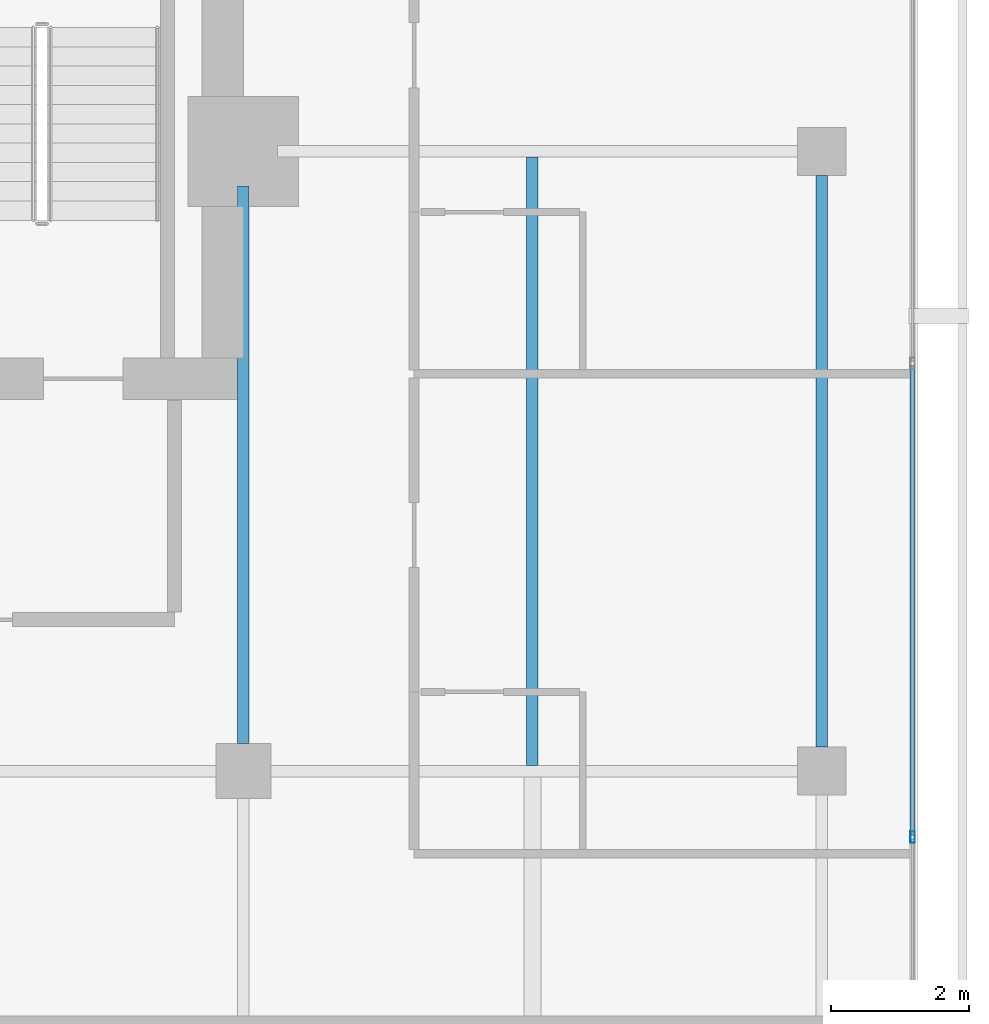
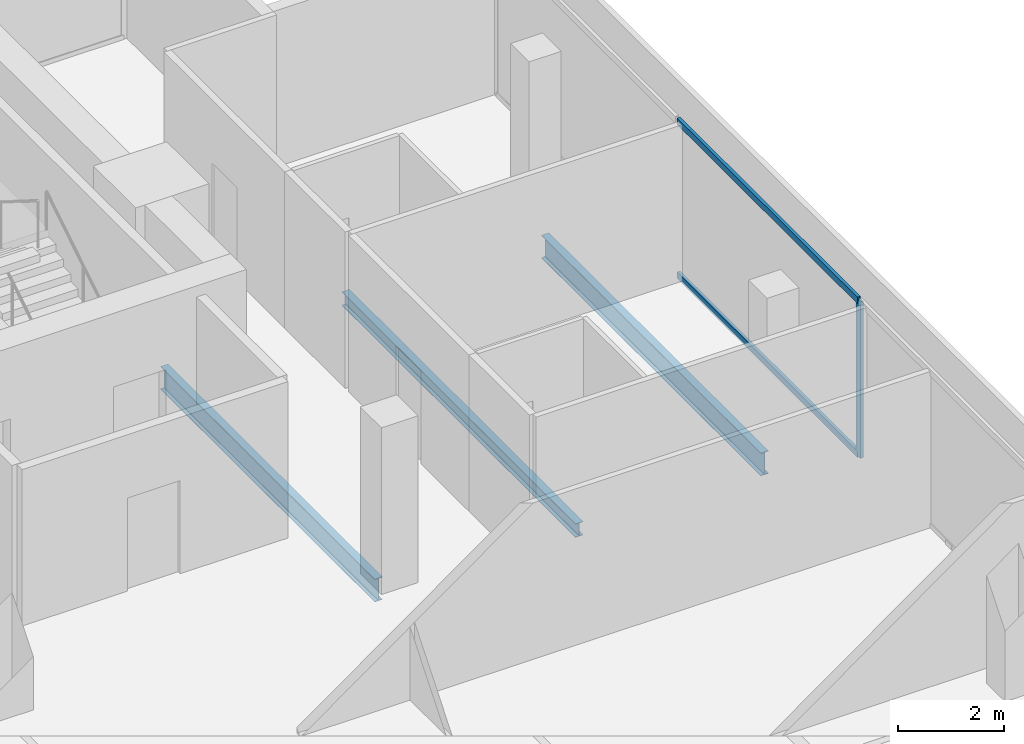
# One storey, part 15 of 25: 3 beams, 3 members, 1 element without a shape of its own.
"""IFC4 building model written with IfcOpenShell, lengths in metres."""

import ifcopenshell
import ifcopenshell.guid

model = None  # the IFC model being written
_history = None  # IfcOwnerHistory: only IFC2X3 demands one
_inside = {}  # id of a spatial element -> (the spatial element, [elements in it])
_under = {}  # id of a project, library or spatial element -> (it, [spatial elements below it])
_declared = {}  # id of a project -> (the project, [libraries it declares])
_typed = {}  # id of a type object -> (the type object, [elements of that type])
_made_of = {}  # id of a material, layer set ... -> (it, [elements and type objects made of it])


def new_model(schema):
    """Start an empty IFC model of exactly this schema.

    Asked for "IFC4X3", IfcOpenShell would pick the latest addendum, in which some entities
    have other attributes; the version numbers below select the first issue.
    IFC2X3 requires an IfcOwnerHistory on every rooted entity: one is made here for all.
    """
    global model, _history
    if schema == "IFC4X3":
        model = ifcopenshell.file(schema_version=(4, 3, 0, 0))
    else:
        model = ifcopenshell.file(schema=schema)
    _inside.clear()
    _under.clear()
    _declared.clear()
    _typed.clear()
    _made_of.clear()
    _history = None
    if model.schema == "IFC2X3":
        org = make("IfcOrganization", Name="unknown")
        user = make(
            "IfcPersonAndOrganization",
            ThePerson=make("IfcPerson", FamilyName="unknown"),
            TheOrganization=org,
        )
        app = make(
            "IfcApplication",
            ApplicationDeveloper=org,
            Version="unknown",
            ApplicationFullName="unknown",
            ApplicationIdentifier="unknown",
        )
        _history = make(
            "IfcOwnerHistory",
            OwningUser=user,
            OwningApplication=app,
            ChangeAction="ADDED",
            CreationDate=0,
        )
    return model


def make(cls, **values):
    """One entity of the class cls with the attributes given. An attribute that is None is left unset."""
    return model.create_entity(
        cls, **{name: value for name, value in values.items() if value is not None}
    )


def rooted(cls, **values):
    """An entity with a GlobalId (a new one), such as an element, a storey or a relation."""
    return make(cls, GlobalId=ifcopenshell.guid.new(), OwnerHistory=_history, **values)


def si_unit(unit_type, name, prefix=None):
    """IfcSIUnit, for example si_unit("LENGTHUNIT", "METRE", prefix="MILLI")."""
    return make("IfcSIUnit", UnitType=unit_type, Prefix=prefix, Name=name)


def assignment(units):
    """IfcUnitAssignment: the units of a project."""
    return None if units is None else make("IfcUnitAssignment", Units=units)


def point(xyz):
    """IfcCartesianPoint."""
    return None if xyz is None else make("IfcCartesianPoint", Coordinates=xyz)


def direction(xyz):
    """IfcDirection."""
    return None if xyz is None else make("IfcDirection", DirectionRatios=xyz)


def frame(location, z_axis=None, x_axis=None):
    """IfcAxis2Placement3D, a coordinate frame: its origin and axes. An axis left out is left unset."""
    return make(
        "IfcAxis2Placement3D",
        Location=point(location),
        Axis=direction(z_axis),
        RefDirection=direction(x_axis),
    )


def frame_2d(location, x_axis=None):
    """IfcAxis2Placement2D, a coordinate frame in the plane: its origin and x axis."""
    return make(
        "IfcAxis2Placement2D", Location=point(location), RefDirection=direction(x_axis)
    )


def origin():
    """The frame at (0, 0, 0) with its axes left unset."""
    return frame((0.0, 0.0, 0.0))


def origin_2d():
    """The frame at (0, 0) in the plane with its x axis left unset."""
    return frame_2d((0.0, 0.0))


def place(relative_to, where):
    """IfcLocalPlacement: puts the frame where relative to a parent placement (None: the world)."""
    return make(
        "IfcLocalPlacement", PlacementRelTo=relative_to, RelativePlacement=where
    )


def context(
    kind, dimensions, precision=None, world=None, true_north=None, identifier=None
):
    """IfcGeometricRepresentationContext, for example the 3D "Model" context."""
    return make(
        "IfcGeometricRepresentationContext",
        ContextIdentifier=identifier,
        ContextType=kind,
        CoordinateSpaceDimension=dimensions,
        Precision=precision,
        WorldCoordinateSystem=world,
        TrueNorth=true_north,
    )


def subcontext(parent, identifier, kind, view, scale=None):
    """IfcGeometricRepresentationSubContext, for example "Body" below "Model"."""
    return make(
        "IfcGeometricRepresentationSubContext",
        ContextIdentifier=identifier,
        ContextType=kind,
        ParentContext=parent,
        TargetScale=scale,
        TargetView=view,
    )


def project(units=None, contexts=None):
    """IfcProject with its units and contexts."""
    return rooted(
        "IfcProject",
        Name="project",
        RepresentationContexts=contexts,
        UnitsInContext=assignment(units),
    )


def spatial(cls, under=None, at=None, **own):
    """A site, building, storey or space (cls), placed at a placement, below another one or the project."""
    s = rooted(cls, ObjectPlacement=at, **own)
    if under is not None:
        _under.setdefault(under.id(), (under, []))[1].append(s)
    return s


def profile(cls, at=None, kind="AREA", **sizes):
    """A parametric profile (cls). Its sizes go by their IFC names, for example OverallWidth=200.0."""
    return make(cls, ProfileType=kind, Position=at, **sizes)


def hollow_rectangle(**sizes):
    """IfcRectangleHollowProfileDef."""
    return profile("IfcRectangleHollowProfileDef", **sizes)


def i_section(**sizes):
    """IfcIShapeProfileDef."""
    return profile("IfcIShapeProfileDef", **sizes)


def extrude(swept, where, along, depth):
    """IfcExtrudedAreaSolid: the profile swept, set in the frame where, extruded along a direction by depth."""
    return make(
        "IfcExtrudedAreaSolid",
        SweptArea=swept,
        Position=where,
        ExtrudedDirection=direction(along),
        Depth=depth,
    )


def shape(context_of_items, identifier, shape_type, items):
    """IfcShapeRepresentation: the items that make up one representation, for example the "Body"."""
    return make(
        "IfcShapeRepresentation",
        ContextOfItems=context_of_items,
        RepresentationIdentifier=identifier,
        RepresentationType=shape_type,
        Items=items,
    )


def material(Name=None, Category=None):
    """IfcMaterial."""
    return make("IfcMaterial", Name=Name, Category=Category)


def layer(
    of_material, thickness, ventilated=None, Name=None, Category=None, Priority=None
):
    """IfcMaterialLayer: one layer of a wall or slab, of a material (None: an air gap)."""
    return make(
        "IfcMaterialLayer",
        Material=of_material,
        LayerThickness=thickness,
        IsVentilated=ventilated,
        Name=Name,
        Category=Category,
        Priority=Priority,
    )


def layer_set(layers, Name=None):
    """IfcMaterialLayerSet."""
    return make("IfcMaterialLayerSet", MaterialLayers=layers, LayerSetName=Name)


def material_profile(
    of_material, cross_section, Name=None, Category=None, Priority=None
):
    """IfcMaterialProfile: a cross section and its material."""
    return make(
        "IfcMaterialProfile",
        Name=Name,
        Material=of_material,
        Profile=cross_section,
        Priority=Priority,
        Category=Category,
    )


def profile_set(profiles, Name=None, composite=None):
    """IfcMaterialProfileSet."""
    return make(
        "IfcMaterialProfileSet",
        Name=Name,
        MaterialProfiles=profiles,
        CompositeProfile=composite,
    )


def made_of(thing, what):
    """Note that an element or type object is made of a material, layer set ...; save() writes the relation."""
    if what is not None:
        _made_of.setdefault(what.id(), (what, []))[1].append(thing)
    return thing


def type_object(cls, material=None, **own):
    """A type object (cls), such as IfcWallType, which elements share."""
    return made_of(rooted(cls, **own), material)


def element(
    cls,
    number,
    at=None,
    inside=None,
    cuts=None,
    type_object=None,
    material=None,
    context=None,
    identifier="Body",
    shape_type=None,
    held_by="IfcProductDefinitionShape",
    body=None,
    shapes=None,
    **own,
):
    """One element of the class cls, such as IfcWall. Its Tag is "e" and its number.

    at: its placement. inside: the storey or other place that contains it. cuts: it is an
    opening in that element (IfcRelVoidsElement). A single representation is given by context,
    identifier, shape_type and body (its items); several are given by shapes. held_by: the class
    of the entity that holds the representations. save() writes the other relations.
    """
    e = rooted(cls, Tag="e%d" % number, ObjectPlacement=at, **own)
    if body is not None:
        shapes = [shape(context, identifier, shape_type, body)]
    if shapes is not None:
        e.Representation = make(held_by, Representations=shapes)
    if inside is not None:
        _inside.setdefault(inside.id(), (inside, []))[1].append(e)
    if cuts is not None:
        rooted(
            "IfcRelVoidsElement", RelatingBuildingElement=cuts, RelatedOpeningElement=e
        )
    if type_object is not None:
        _typed.setdefault(type_object.id(), (type_object, []))[1].append(e)
    return made_of(e, material)


def aggregate(whole, parts):
    """IfcRelAggregates: a whole, such as a stair, and the parts it consists of."""
    return rooted("IfcRelAggregates", RelatingObject=whole, RelatedObjects=parts)


def save(model, path):
    """Write the relations noted so far, then the file.

    IfcRelAggregates (storeys below a building ...), IfcRelContainedInSpatialStructure (elements
    in a storey), IfcRelDefinesByType, IfcRelAssociatesMaterial and IfcRelDeclares: one each for
    every whole, place, type object, material and project.
    """
    for whole, parts in _under.values():
        aggregate(whole, parts)
    for where, things in _inside.values():
        rooted(
            "IfcRelContainedInSpatialStructure",
            RelatedElements=things,
            RelatingStructure=where,
        )
    for kind, things in _typed.values():
        rooted("IfcRelDefinesByType", RelatedObjects=things, RelatingType=kind)
    for what, things in _made_of.values():
        rooted("IfcRelAssociatesMaterial", RelatedObjects=things, RelatingMaterial=what)
    for by, libraries in _declared.values():
        rooted("IfcRelDeclares", RelatingContext=by, RelatedDefinitions=libraries)
    model.write(path)


model = new_model("IFC4")

# Units and contexts
model_context = context("Model", 3, precision=1e-05, world=origin(), true_north=direction((0.0, 1.0)))
body_context = subcontext(model_context, "Body", "Model", "MODEL_VIEW")
ifc_project = project(units=[si_unit("LENGTHUNIT", "METRE"), si_unit("AREAUNIT", "SQUARE_METRE"), si_unit("VOLUMEUNIT", "CUBIC_METRE"), si_unit("PLANEANGLEUNIT", "RADIAN"), si_unit("MASSUNIT", "GRAM", prefix="KILO")], contexts=[model_context])

# Site, building, storey
site_placement = place(None, origin())
site = spatial("IfcSite", under=ifc_project, at=site_placement, CompositionType="ELEMENT")
building_placement = place(site_placement, origin())
building = spatial("IfcBuilding", under=site, at=building_placement, Name="Maruvema Waterfront Hotel and Observation Tower", CompositionType="ELEMENT")
storey_placement = place(building_placement, frame((0.0, 0.0, 304.85009765625)))
storey = spatial("IfcBuildingStorey", under=building, at=storey_placement, Name="L75", CompositionType="ELEMENT", Elevation=304.85009765625)

# Curtain wall, members
ifc_material_1 = material(Name="Anodised bronze aluminium and solar-control low-E IGU", Category="aluminium")
ifc_layer = layer(ifc_material_1, 0.159912109375, Name="Zone 3 Champagne Inner Thermal Curtain Wall System CW-04")
ifc_layer_set = layer_set([ifc_layer], Name="Anodised bronze aluminium and solar-control low-E IGU")
curtain_wall_type = type_object("IfcCurtainWallType", Name="Zone 3 Champagne Inner Thermal Curtain Wall System CW-04", PredefinedType="USERDEFINED", material=ifc_layer_set)
curtain_wall_placement = place(storey_placement, origin())
curtain_wall = element("IfcCurtainWall", 1, at=curtain_wall_placement, inside=storey, type_object=curtain_wall_type, Name="L75 Curtain Wall CW-L75-E", ObjectType="UNITISED CURTAIN WALL", PredefinedType="USERDEFINED")
ifc_material_2 = material(Name="Anodised architectural bronze aluminium", Category="aluminium")
ifc_material_profile_1 = material_profile(ifc_material_2, hollow_rectangle(XDim=0.070068359375, YDim=0.14990234375, WallThickness=0.00390625, at=origin_2d()), Name="ALU-T70x150")
ifc_profile_set_1 = profile_set([ifc_material_profile_1], Name="Anodised architectural bronze aluminium")
member_type_1 = type_object("IfcMemberType", Name="Curtain Wall Horizontal Transom ALU-T70x150", PredefinedType="USERDEFINED", material=ifc_profile_set_1)
member_1_placement = place(storey_placement, frame((60.1201171875, 35.070068359375, 0.02978515625), z_axis=(0.0, 1.0, 0.0), x_axis=(-1.0, 0.0, 0.0)))
member_1 = element("IfcMember", 2, at=member_1_placement, type_object=member_type_1, Name="CW-04 transom 4.1", ObjectType="TRANSOM", PredefinedType="USERDEFINED", context=body_context, shape_type="SweptSolid", body=[
    extrude(hollow_rectangle(XDim=0.070068359375, YDim=0.14990234375, WallThickness=0.00390625, at=origin_2d()), origin(), (0.0, 0.0, 1.0), 6.81982421875),
])
member_2_placement = place(storey_placement, frame((60.1201171875, 35.070068359375, 3.579833984375), z_axis=(0.0, 1.0, 0.0), x_axis=(-1.0, 0.0, 0.0)))
member_2 = element("IfcMember", 3, at=member_2_placement, type_object=member_type_1, Name="CW-04 transom 4.2", ObjectType="TRANSOM", PredefinedType="USERDEFINED", context=body_context, shape_type="SweptSolid", body=[
    extrude(hollow_rectangle(XDim=0.070068359375, YDim=0.14990234375, WallThickness=0.00390625, at=origin_2d()), origin(), (0.0, 0.0, 1.0), 6.81982421875),
])
ifc_material_3 = material(Name="Anodised architectural bronze aluminium", Category="aluminium")
ifc_material_profile_2 = material_profile(ifc_material_3, hollow_rectangle(XDim=0.06494140625, YDim=0.1650390625, WallThickness=0.00390625, at=origin_2d()), Name="ALU-M65x165")
ifc_profile_set_2 = profile_set([ifc_material_profile_2], Name="Anodised architectural bronze aluminium")
member_type_2 = type_object("IfcMemberType", Name="Curtain Wall Primary Mullion ALU-M65x165", PredefinedType="MULLION", material=ifc_profile_set_2)
member_3_placement = place(storey_placement, frame((60.1201171875, 35.0400390625, 0.0), z_axis=(0.0, 0.0, 1.0), x_axis=(-1.0, 0.0, 0.0)))
member_3 = element("IfcMember", 4, at=member_3_placement, type_object=member_type_2, Name="CW-04 mullion 4", PredefinedType="MULLION", context=body_context, shape_type="SweptSolid", body=[
    extrude(hollow_rectangle(XDim=0.06494140625, YDim=0.1650390625, WallThickness=0.00390625, at=origin_2d()), origin(), (0.0, 0.0, 1.0), 3.60986328125),
])
aggregate(curtain_wall, [member_3, member_1, member_2])

# Beams
ifc_material_4 = material(Name="Steel ASTM A572 Grade 50", Category="steel")
ifc_material_profile_3 = material_profile(ifc_material_4, i_section(OverallWidth=0.166015625, OverallDepth=0.529052734375, WebThickness=0.009765625, FlangeThickness=0.013671875, FilletRadius=0.014892578125, at=origin_2d()), Name="W530x74.0")
ifc_profile_set_3 = profile_set([ifc_material_profile_3], Name="Steel ASTM A572 Grade 50")
beam_type_1 = type_object("IfcBeamType", Name="Primary Floor Girder W530x74.0", PredefinedType="BEAM", material=ifc_profile_set_3)
beam_1_placement = place(storey_placement, frame((50.39990234375, 36.39990234375, -0.504638671875), z_axis=(0.0, 1.0, 0.0), x_axis=(-1.0, 0.0, 0.0)))
element("IfcBeam", 5, at=beam_1_placement, inside=storey, type_object=beam_type_1, Name="L75 Floor Girder NS-15", PredefinedType="BEAM", context=body_context, shape_type="SweptSolid", body=[
    extrude(i_section(OverallWidth=0.166015625, OverallDepth=0.529052734375, WebThickness=0.009765625, FlangeThickness=0.013671875, FilletRadius=0.014892578125, at=origin_2d()), origin(), (0.0, 0.0, 1.0), 8.10009765625),
])
beam_2_placement = place(storey_placement, frame((58.800048828125, 36.35009765625, -0.504638671875), z_axis=(0.0, 1.0, 0.0), x_axis=(-1.0, 0.0, 0.0)))
element("IfcBeam", 6, at=beam_2_placement, inside=storey, type_object=beam_type_1, Name="L75 Floor Girder NS-18", PredefinedType="BEAM", context=body_context, shape_type="SweptSolid", body=[
    extrude(i_section(OverallWidth=0.166015625, OverallDepth=0.529052734375, WebThickness=0.009765625, FlangeThickness=0.013671875, FilletRadius=0.014892578125, at=origin_2d()), origin(), (0.0, 0.0, 1.0), 8.2998046875),
])
ifc_material_5 = material(Name="Steel ASTM A572 Grade 50", Category="steel")
ifc_material_profile_4 = material_profile(ifc_material_5, i_section(OverallWidth=0.1669921875, OverallDepth=0.31689453125, WebThickness=0.007568359375, FlangeThickness=0.01318359375, FilletRadius=0.012939453125, at=origin_2d()), Name="W310x52.0")
ifc_profile_set_4 = profile_set([ifc_material_profile_4], Name="Steel ASTM A572 Grade 50")
beam_type_2 = type_object("IfcBeamType", Name="Secondary Floor Joist W310x52.0", PredefinedType="JOIST", material=ifc_profile_set_4)
beam_3_placement = place(storey_placement, frame((54.60009765625, 36.0830078125, -0.398681640625), z_axis=(0.0, 1.0, 0.0), x_axis=(-1.0, 0.0, 0.0)))
element("IfcBeam", 7, at=beam_3_placement, inside=storey, type_object=beam_type_2, Name="L75 Secondary Floor Joist JS-09", PredefinedType="JOIST", context=body_context, shape_type="SweptSolid", body=[
    extrude(i_section(OverallWidth=0.1669921875, OverallDepth=0.31689453125, WebThickness=0.007568359375, FlangeThickness=0.01318359375, FilletRadius=0.012939453125, at=origin_2d()), origin(), (0.0, 0.0, 1.0), 8.833984375),
])

save(model, "model.ifc")
